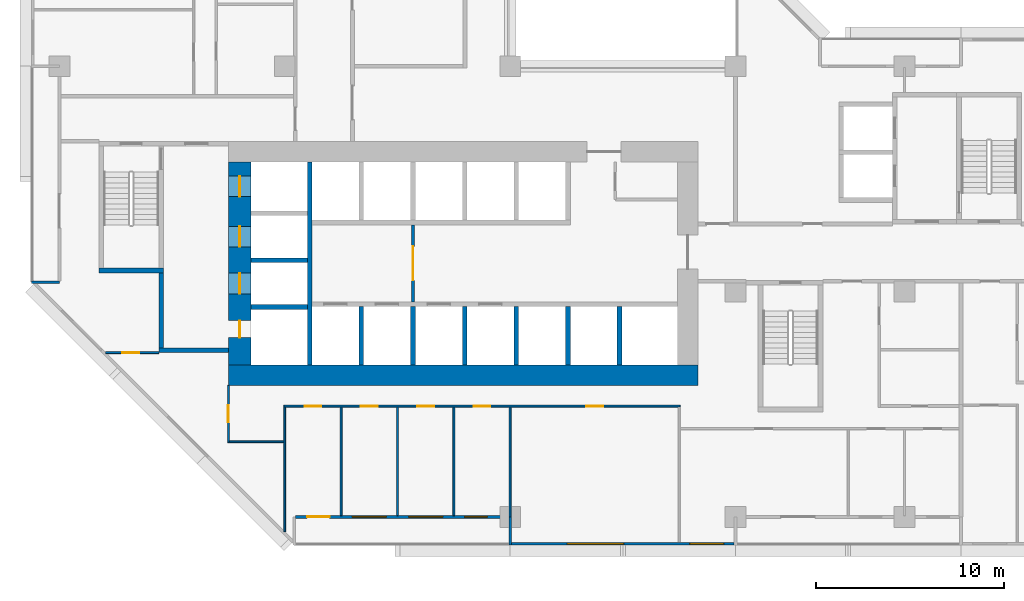
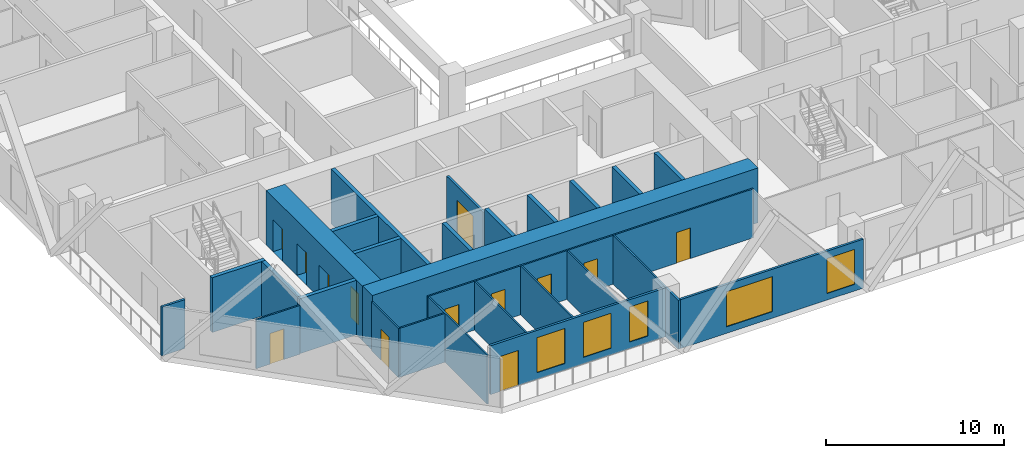
# One storey, part 4 of 15: 28 walls, 13 doors, 5 windows, 18 openings.
"""IFC4 building model written with IfcOpenShell, lengths in metres."""

from ifc_helpers import new_model, si_unit, direction, frame, frame_2d, origin, place, context, subcontext, project, spatial, rectangle, extrude, material, layer, layer_set, type_object, element, fill, save


model = new_model("IFC4")

# Units and contexts
model_context = context("Model", 3, precision=1e-05, world=origin(), true_north=direction((0.0, 1.0)))
body_context = subcontext(model_context, "Body", "Model", "MODEL_VIEW")
ifc_project = project(units=[si_unit("LENGTHUNIT", "METRE"), si_unit("AREAUNIT", "SQUARE_METRE"), si_unit("VOLUMEUNIT", "CUBIC_METRE"), si_unit("PLANEANGLEUNIT", "RADIAN"), si_unit("MASSUNIT", "GRAM", prefix="KILO")], contexts=[model_context])

# Site, building, storey
site_placement = place(None, origin())
site = spatial("IfcSite", under=ifc_project, at=site_placement, CompositionType="ELEMENT")
building_placement = place(site_placement, origin())
building = spatial("IfcBuilding", under=site, at=building_placement, Name="Chenar Terraces", CompositionType="ELEMENT")
storey_placement = place(building_placement, frame((0.0, 0.0, 56.39990234375)))
storey = spatial("IfcBuildingStorey", under=building, at=storey_placement, Name="L11", CompositionType="ELEMENT", Elevation=56.39990234375)

# Wall, opening, door
ifc_material_1 = material(Name="Gypsum board on steel studs", Category="steel")
ifc_layer_1 = layer(ifc_material_1, 0.14990234375)
ifc_layer_set_1 = layer_set([ifc_layer_1], Name="Gypsum board on steel studs")
wall_type_1 = type_object("IfcWallType", Name="Core partition 150 gypsum board", PredefinedType="PARTITIONING", material=ifc_layer_set_1)
wall_1_placement = place(storey_placement, frame((18.824951171875, 11.449951171875, 0.0), z_axis=(0.0, 0.0, 1.0), x_axis=(0.0, 1.0, 0.0)))
wall_1 = element("IfcWall", 1, at=wall_1_placement, inside=storey, type_object=wall_type_1, Name="Core partition CP1 lift lobby smoke stop", PredefinedType="PARTITIONING", context=body_context, shape_type="SweptSolid", body=[
    extrude(rectangle(XDim=4.10009765625, YDim=0.14990234375, at=frame_2d((2.050048828125, 0.0))), origin(), (0.0, 0.0, 1.0), 3.35009765625),
])
opening_1_placement = place(wall_1_placement, frame((1.14990234375, 0.0, 0.0)))
opening_1 = element("IfcOpeningElement", 2, at=opening_1_placement, cuts=wall_1, Name="Opening DL11-C12", PredefinedType="OPENING", context=body_context, shape_type="SweptSolid", body=[
    extrude(rectangle(XDim=1.800048828125, YDim=2.39990234375, at=frame_2d((0.89990234375, 1.199951171875))), frame((0.0, 0.0849609375, 0.0), z_axis=(0.0, -1.0, 0.0), x_axis=(1.0, 0.0, 0.0)), (0.0, 0.0, 1.0), 0.169921875),
])
ifc_material_2 = material(Name="Steel-framed fire-resisting door leaf", Category="steel")
door_type_1 = type_object("IfcDoorType", Name="Core entrance double fire door FD60 1800 x 2400", OperationType="DOUBLE_DOOR_SINGLE_SWING", PredefinedType="DOOR", material=ifc_material_2)
door_1_placement = place(opening_1_placement, origin())
door_1 = element("IfcDoor", 3, at=door_1_placement, inside=storey, type_object=door_type_1, Name="Core door DL11-C12", OperationType="DOUBLE_DOOR_SINGLE_SWING", OverallHeight=2.39990234375, OverallWidth=1.800048828125, PredefinedType="DOOR", context=body_context, shape_type="SweptSolid", body=[
    extrude(rectangle(XDim=1.800048828125, YDim=2.39990234375, at=frame_2d((0.89990234375, 1.199951171875))), frame((0.0, 0.02490234375, 0.0), z_axis=(0.0, -1.0, 0.0), x_axis=(1.0, 0.0, 0.0)), (0.0, 0.0, 1.0), 0.050048828125),
])
fill(opening_1, door_1)

# Wall
ifc_material_3 = material(Name="Concrete C70/85", Category="concrete")
ifc_layer_2 = layer(ifc_material_3, 1.10009765625)
ifc_layer_set_2 = layer_set([ifc_layer_2], Name="Concrete C70/85")
wall_type_2 = type_object("IfcWallType", Name="Core wall 1100 Concrete C70/85", PredefinedType="SHEAR", material=ifc_layer_set_2)
wall_2_placement = place(storey_placement, frame((9.0, 7.550048828125, 0.0), z_axis=(0.0, 0.0, 1.0), x_axis=(1.0, 0.0, 0.0)))
element("IfcWall", 4, at=wall_2_placement, inside=storey, type_object=wall_type_2, Name="Core wall S L11", PredefinedType="SHEAR", context=body_context, shape_type="SweptSolid", body=[
    extrude(rectangle(XDim=25.0, YDim=1.10009765625, at=frame_2d((12.5, 0.0))), origin(), (0.0, 0.0, 1.0), 3.75),
])

# Wall, openings, doors
ifc_material_4 = material(Name="Concrete C70/85", Category="concrete")
ifc_layer_3 = layer(ifc_material_4, 1.199951171875)
ifc_layer_set_3 = layer_set([ifc_layer_3], Name="Concrete C70/85")
wall_type_3 = type_object("IfcWallType", Name="Core wall 1200 Concrete C70/85", PredefinedType="SHEAR", material=ifc_layer_set_3)
wall_3_placement = place(storey_placement, frame((9.60009765625, 8.10009765625, 0.0), z_axis=(0.0, 0.0, 1.0), x_axis=(0.0, 1.0, 0.0)))
wall_3 = element("IfcWall", 5, at=wall_3_placement, inside=storey, type_object=wall_type_3, Name="Core wall W L11", PredefinedType="SHEAR", context=body_context, shape_type="SweptSolid", body=[
    extrude(rectangle(XDim=10.7998046875, YDim=1.199951171875, at=frame_2d((5.39990234375, 0.0))), origin(), (0.0, 0.0, 1.0), 3.75),
])
opening_2_placement = place(wall_3_placement, frame((3.77490234375, 0.0, 0.0)))
opening_2 = element("IfcOpeningElement", 6, at=opening_2_placement, cuts=wall_3, Name="Opening DL11-LD5", PredefinedType="OPENING", context=body_context, shape_type="SweptSolid", body=[
    extrude(rectangle(XDim=1.10009765625, YDim=2.199951171875, at=frame_2d((0.550048828125, 1.10009765625))), frame((0.0, 0.60986328125, 0.0), z_axis=(0.0, -1.0, 0.0), x_axis=(1.0, 0.0, 0.0)), (0.0, 0.0, 1.0), 1.219970703125),
])
opening_3_placement = place(wall_3_placement, frame((6.27490234375, 0.0, 0.0)))
opening_3 = element("IfcOpeningElement", 7, at=opening_3_placement, cuts=wall_3, Name="Opening DL11-LD6", PredefinedType="OPENING", context=body_context, shape_type="SweptSolid", body=[
    extrude(rectangle(XDim=1.10009765625, YDim=2.199951171875, at=frame_2d((0.550048828125, 1.10009765625))), frame((0.0, 0.60986328125, 0.0), z_axis=(0.0, -1.0, 0.0), x_axis=(1.0, 0.0, 0.0)), (0.0, 0.0, 1.0), 1.219970703125),
])
opening_4_placement = place(wall_3_placement, frame((8.949951171875, 0.0, 0.0)))
opening_4 = element("IfcOpeningElement", 8, at=opening_4_placement, cuts=wall_3, Name="Opening DL11-LD7", PredefinedType="OPENING", context=body_context, shape_type="SweptSolid", body=[
    extrude(rectangle(XDim=1.10009765625, YDim=2.199951171875, at=frame_2d((0.550048828125, 1.10009765625))), frame((0.0, 0.60986328125, 0.0), z_axis=(0.0, -1.0, 0.0), x_axis=(1.0, 0.0, 0.0)), (0.0, 0.0, 1.0), 1.219970703125),
])
opening_5_placement = place(wall_3_placement, frame((1.449951171875, 0.0, 0.0)))
opening_5 = element("IfcOpeningElement", 9, at=opening_5_placement, cuts=wall_3, Name="Opening DL11-C4", PredefinedType="OPENING", context=body_context, shape_type="SweptSolid", body=[
    extrude(rectangle(XDim=0.89990234375, YDim=2.10009765625, at=frame_2d((0.449951171875, 1.050048828125))), frame((0.0, 0.60986328125, 0.0), z_axis=(0.0, -1.0, 0.0), x_axis=(1.0, 0.0, 0.0)), (0.0, 0.0, 1.0), 1.219970703125),
])
ifc_material_5 = material(Name="Stainless steel", Category="steel")
door_type_2 = type_object("IfcDoorType", Name="Lift landing door 1100 x 2200 sliding", OperationType="DOUBLE_DOOR_SLIDING", PredefinedType="DOOR", material=ifc_material_5)
door_2_placement = place(opening_2_placement, origin())
door_2 = element("IfcDoor", 10, at=door_2_placement, inside=storey, type_object=door_type_2, Name="Landing door S1", OperationType="DOUBLE_DOOR_SLIDING", OverallHeight=2.199951171875, OverallWidth=1.10009765625, PredefinedType="DOOR", context=body_context, shape_type="SweptSolid", body=[
    extrude(rectangle(XDim=1.10009765625, YDim=2.199951171875, at=frame_2d((0.550048828125, 1.10009765625))), frame((0.0, 0.02490234375, 0.0), z_axis=(0.0, -1.0, 0.0), x_axis=(1.0, 0.0, 0.0)), (0.0, 0.0, 1.0), 0.050048828125),
])
fill(opening_2, door_2)
door_3_placement = place(opening_3_placement, origin())
door_3 = element("IfcDoor", 11, at=door_3_placement, inside=storey, type_object=door_type_2, Name="Landing door F1", OperationType="DOUBLE_DOOR_SLIDING", OverallHeight=2.199951171875, OverallWidth=1.10009765625, PredefinedType="DOOR", context=body_context, shape_type="SweptSolid", body=[
    extrude(rectangle(XDim=1.10009765625, YDim=2.199951171875, at=frame_2d((0.550048828125, 1.10009765625))), frame((0.0, 0.02490234375, 0.0), z_axis=(0.0, -1.0, 0.0), x_axis=(1.0, 0.0, 0.0)), (0.0, 0.0, 1.0), 0.050048828125),
])
fill(opening_3, door_3)
door_4_placement = place(opening_4_placement, origin())
door_4 = element("IfcDoor", 12, at=door_4_placement, inside=storey, type_object=door_type_2, Name="Landing door F2", OperationType="DOUBLE_DOOR_SLIDING", OverallHeight=2.199951171875, OverallWidth=1.10009765625, PredefinedType="DOOR", context=body_context, shape_type="SweptSolid", body=[
    extrude(rectangle(XDim=1.10009765625, YDim=2.199951171875, at=frame_2d((0.550048828125, 1.10009765625))), frame((0.0, 0.02490234375, 0.0), z_axis=(0.0, -1.0, 0.0), x_axis=(1.0, 0.0, 0.0)), (0.0, 0.0, 1.0), 0.050048828125),
])
fill(opening_4, door_4)
ifc_material_6 = material(Name="Steel-framed fire-resisting door leaf", Category="steel")
door_type_3 = type_object("IfcDoorType", Name="Riser fire door FD60 900 x 2100", OperationType="SINGLE_SWING_LEFT", PredefinedType="DOOR", material=ifc_material_6)
door_5_placement = place(opening_5_placement, frame((0.89990234375, 0.0, 0.0), z_axis=(0.0, 0.0, 1.0), x_axis=(-1.0, 0.0, 0.0)))
door_5 = element("IfcDoor", 13, at=door_5_placement, inside=storey, type_object=door_type_3, Name="Riser door DL11-C4", OperationType="SINGLE_SWING_RIGHT", OverallHeight=2.10009765625, OverallWidth=0.89990234375, PredefinedType="DOOR", context=body_context, shape_type="SweptSolid", body=[
    extrude(rectangle(XDim=0.89990234375, YDim=2.10009765625, at=frame_2d((0.449951171875, 1.050048828125))), frame((0.0, 0.02490234375, 0.0), z_axis=(0.0, -1.0, 0.0), x_axis=(1.0, 0.0, 0.0)), (0.0, 0.0, 1.0), 0.050048828125),
])
fill(opening_5, door_5)

# Walls
ifc_material_7 = material(Name="Concrete C70/85", Category="concrete")
ifc_layer_4 = layer(ifc_material_7, 0.25)
ifc_layer_set_4 = layer_set([ifc_layer_4], Name="Concrete C70/85")
wall_type_4 = type_object("IfcWallType", Name="Core wall 250 Concrete C70/85", PredefinedType="SHEAR", material=ifc_layer_set_4)
wall_4_placement = place(storey_placement, frame((13.324951171875, 8.10009765625, 0.0), z_axis=(0.0, 0.0, 1.0), x_axis=(0.0, 1.0, 0.0)))
element("IfcWall", 14, at=wall_4_placement, inside=storey, type_object=wall_type_4, Name="Core wall WI L11", PredefinedType="SHEAR", context=body_context, shape_type="SweptSolid", body=[
    extrude(rectangle(XDim=10.7998046875, YDim=0.25, at=frame_2d((5.39990234375, 0.0))), origin(), (0.0, 0.0, 1.0), 3.75),
])
for number, where, z_axis, x_axis, name in (
    (15, (10.199951171875, 11.175048828125, 0.0), (0.0, 0.0, 1.0), (1.0, 0.0, 0.0), "Core wall HW0 L11"),
    (16, (10.199951171875, 13.675048828125, 0.0), (0.0, 0.0, 1.0), (1.0, 0.0, 0.0), "Core wall HW1 L11"),
):
    element("IfcWall", number, at=place(storey_placement, frame(where, z_axis=z_axis, x_axis=x_axis)), inside=storey, type_object=wall_type_4, Name=name, PredefinedType="SHEAR", context=body_context, shape_type="SweptSolid", body=[
        extrude(rectangle(XDim=3.0, YDim=0.25, at=frame_2d((1.5, 0.0))), origin(), (0.0, 0.0, 1.0), 3.75),
    ])
for number, where, z_axis, x_axis, name in (
    (17, (16.074951171875, 8.10009765625, 0.0), (0.0, 0.0, 1.0), (0.0, 1.0, 0.0), "Core wall SS0 L11"),
    (18, (18.824951171875, 8.10009765625, 0.0), (0.0, 0.0, 1.0), (0.0, 1.0, 0.0), "Core wall SS1 L11"),
    (19, (21.574951171875, 8.10009765625, 0.0), (0.0, 0.0, 1.0), (0.0, 1.0, 0.0), "Core wall SS2 L11"),
    (20, (24.324951171875, 8.10009765625, 0.0), (0.0, 0.0, 1.0), (0.0, 1.0, 0.0), "Core wall SS3 L11"),
    (21, (27.074951171875, 8.10009765625, 0.0), (0.0, 0.0, 1.0), (0.0, 1.0, 0.0), "Core wall SS4 L11"),
    (22, (29.824951171875, 8.10009765625, 0.0), (0.0, 0.0, 1.0), (0.0, 1.0, 0.0), "Core wall SS5 L11"),
):
    element("IfcWall", number, at=place(storey_placement, frame(where, z_axis=z_axis, x_axis=x_axis)), inside=storey, type_object=wall_type_4, Name=name, PredefinedType="SHEAR", context=body_context, shape_type="SweptSolid", body=[
        extrude(rectangle(XDim=3.099853515625, YDim=0.25, at=frame_2d((1.5498046875, 0.0))), origin(), (0.0, 0.0, 1.0), 3.75),
    ])
wall_5_placement = place(storey_placement, frame((2.10009765625, 13.125, 0.0), z_axis=(0.0, 0.0, 1.0), x_axis=(1.0, 0.0, 0.0)))
element("IfcWall", 23, at=wall_5_placement, inside=storey, type_object=wall_type_4, Name="Core wall ST1_S L11", PredefinedType="SHEAR", context=body_context, shape_type="SweptSolid", body=[
    extrude(rectangle(XDim=3.449951171875, YDim=0.25, at=frame_2d((1.72509765625, 0.0))), origin(), (0.0, 0.0, 1.0), 3.75),
])
wall_6_placement = place(storey_placement, frame((5.300048828125, 8.875, 0.0), z_axis=(0.0, 0.0, 1.0), x_axis=(1.0, 0.0, 0.0)))
element("IfcWall", 24, at=wall_6_placement, inside=storey, type_object=wall_type_4, Name="Core wall FFL_S L11", PredefinedType="SHEAR", context=body_context, shape_type="SweptSolid", body=[
    extrude(rectangle(XDim=3.699951171875, YDim=0.25, at=frame_2d((1.85009765625, 0.0))), origin(), (0.0, 0.0, 1.0), 3.75),
])
wall_7_placement = place(storey_placement, frame((5.425048828125, 9.0, 0.0), z_axis=(0.0, 0.0, 1.0), x_axis=(0.0, 1.0, 0.0)))
element("IfcWall", 25, at=wall_7_placement, inside=storey, type_object=wall_type_4, Name="Core wall FFL_W L11", PredefinedType="SHEAR", context=body_context, shape_type="SweptSolid", body=[
    extrude(rectangle(XDim=4.0, YDim=0.25, at=frame_2d((2.0, 0.0))), origin(), (0.0, 0.0, 1.0), 3.75),
])

# Wall, openings, windows
ifc_material_8 = material(Name="Aluminium framed glazing", Category="aluminium")
ifc_layer_5 = layer(ifc_material_8, 0.14990234375)
ifc_layer_set_5 = layer_set([ifc_layer_5], Name="Aluminium framed glazing")
wall_type_5 = type_object("IfcWallType", Name="Glazed flush facade wall 150", PredefinedType="SOLIDWALL", material=ifc_layer_set_5)
wall_8_placement = place(storey_placement, frame((24.074951171875, -1.425048828125, 0.0), z_axis=(0.0, 0.0, 1.0), x_axis=(1.0, 0.0, 0.0)))
wall_8 = element("IfcWall", 26, at=wall_8_placement, inside=storey, type_object=wall_type_5, Name="Glazed flush facade wall", PredefinedType="SOLIDWALL", context=body_context, shape_type="SweptSolid", body=[
    extrude(rectangle(XDim=11.85009765625, YDim=0.14990234375, at=frame_2d((5.925048828125, 0.0))), origin(), (0.0, 0.0, 1.0), 3.35009765625),
])
opening_6_placement = place(wall_8_placement, frame((2.96240234375, 0.0, 0.449951171875)))
opening_6 = element("IfcOpeningElement", 27, at=opening_6_placement, cuts=wall_8, Name="Opening W300x240", PredefinedType="OPENING", context=body_context, shape_type="SweptSolid", body=[
    extrude(rectangle(XDim=3.0, YDim=2.39990234375, at=frame_2d((1.5, 1.199951171875))), frame((0.0, 0.0849609375, 0.0), z_axis=(0.0, -1.0, 0.0), x_axis=(1.0, 0.0, 0.0)), (0.0, 0.0, 1.0), 0.169921875),
])
opening_7_placement = place(wall_8_placement, frame((9.487548828125, 0.0, 0.449951171875)))
opening_7 = element("IfcOpeningElement", 28, at=opening_7_placement, cuts=wall_8, Name="Opening W180x240", PredefinedType="OPENING", context=body_context, shape_type="SweptSolid", body=[
    extrude(rectangle(XDim=1.800048828125, YDim=2.39990234375, at=frame_2d((0.89990234375, 1.199951171875))), frame((0.0, 0.0849609375, 0.0), z_axis=(0.0, -1.0, 0.0), x_axis=(1.0, 0.0, 0.0)), (0.0, 0.0, 1.0), 0.169921875),
])
ifc_material_9 = material(Name="Low emissivity double glazing, aluminium frame", Category="aluminium")
window_type_1 = type_object("IfcWindowType", Name="Fixed light 1800 x 2400", PartitioningType="SINGLE_PANEL", PredefinedType="WINDOW", material=ifc_material_9)
window_1_placement = place(opening_7_placement, origin())
window_1 = element("IfcWindow", 29, at=window_1_placement, inside=storey, type_object=window_type_1, Name="Window", OverallHeight=2.39990234375, OverallWidth=1.800048828125, PartitioningType="SINGLE_PANEL", PredefinedType="WINDOW", context=body_context, shape_type="SweptSolid", body=[
    extrude(rectangle(XDim=1.800048828125, YDim=2.39990234375, at=frame_2d((0.89990234375, 1.199951171875))), frame((0.0, 0.030029296875, 0.0), z_axis=(0.0, -1.0, 0.0), x_axis=(1.0, 0.0, 0.0)), (0.0, 0.0, 1.0), 0.06005859375),
])
fill(opening_7, window_1)
ifc_material_10 = material(Name="Low emissivity double glazing, aluminium frame", Category="aluminium")
window_type_2 = type_object("IfcWindowType", Name="Fixed light 3000 x 2400", PartitioningType="SINGLE_PANEL", PredefinedType="WINDOW", material=ifc_material_10)
window_2_placement = place(opening_6_placement, origin())
window_2 = element("IfcWindow", 30, at=window_2_placement, inside=storey, type_object=window_type_2, Name="Window", OverallHeight=2.39990234375, OverallWidth=3.0, PartitioningType="SINGLE_PANEL", PredefinedType="WINDOW", context=body_context, shape_type="SweptSolid", body=[
    extrude(rectangle(XDim=3.0, YDim=2.39990234375, at=frame_2d((1.5, 1.199951171875))), frame((0.0, 0.030029296875, 0.0), z_axis=(0.0, -1.0, 0.0), x_axis=(1.0, 0.0, 0.0)), (0.0, 0.0, 1.0), 0.06005859375),
])
fill(opening_6, window_2)

# Wall, openings, windows, door
ifc_material_11 = material(Name="Aluminium framed glazing", Category="aluminium")
ifc_layer_6 = layer(ifc_material_11, 0.14990234375)
ifc_layer_set_6 = layer_set([ifc_layer_6], Name="Aluminium framed glazing")
wall_type_6 = type_object("IfcWallType", Name="Glazed loggia back wall 150", PredefinedType="SOLIDWALL", material=ifc_layer_set_6)
wall_9_placement = place(storey_placement, frame((12.574951171875, 0.0, 0.0), z_axis=(0.0, 0.0, 1.0), x_axis=(1.0, 0.0, 0.0)))
wall_9 = element("IfcWall", 31, at=wall_9_placement, inside=storey, type_object=wall_type_6, Name="Glazed loggia back wall", PredefinedType="SOLIDWALL", context=body_context, shape_type="SweptSolid", body=[
    extrude(rectangle(XDim=11.35009765625, YDim=0.14990234375, at=frame_2d((5.675048828125, 0.0))), origin(), (0.0, 0.0, 1.0), 3.35009765625),
])
opening_8_placement = place(wall_9_placement, frame((0.612548828125, 0.0, 0.0)))
opening_8 = element("IfcOpeningElement", 32, at=opening_8_placement, cuts=wall_9, Name="Opening DL11-G5", PredefinedType="OPENING", context=body_context, shape_type="SweptSolid", body=[
    extrude(rectangle(XDim=1.199951171875, YDim=2.39990234375, at=frame_2d((0.60009765625, 1.199951171875))), frame((0.0, 0.0849609375, 0.0), z_axis=(0.0, -1.0, 0.0), x_axis=(1.0, 0.0, 0.0)), (0.0, 0.0, 1.0), 0.169921875),
])
opening_9_placement = place(wall_9_placement, frame((3.02490234375, 0.0, 0.449951171875)))
opening_9 = element("IfcOpeningElement", 33, at=opening_9_placement, cuts=wall_9, Name="Opening W180x240", PredefinedType="OPENING", context=body_context, shape_type="SweptSolid", body=[
    extrude(rectangle(XDim=1.800048828125, YDim=2.39990234375, at=frame_2d((0.89990234375, 1.199951171875))), frame((0.0, 0.0849609375, 0.0), z_axis=(0.0, -1.0, 0.0), x_axis=(1.0, 0.0, 0.0)), (0.0, 0.0, 1.0), 0.169921875),
])
opening_10_placement = place(wall_9_placement, frame((6.02490234375, 0.0, 0.449951171875)))
opening_10 = element("IfcOpeningElement", 34, at=opening_10_placement, cuts=wall_9, Name="Opening W180x240", PredefinedType="OPENING", context=body_context, shape_type="SweptSolid", body=[
    extrude(rectangle(XDim=1.800048828125, YDim=2.39990234375, at=frame_2d((0.89990234375, 1.199951171875))), frame((0.0, 0.0849609375, 0.0), z_axis=(0.0, -1.0, 0.0), x_axis=(1.0, 0.0, 0.0)), (0.0, 0.0, 1.0), 0.169921875),
])
opening_11_placement = place(wall_9_placement, frame((9.0, 0.0, 0.449951171875)))
opening_11 = element("IfcOpeningElement", 35, at=opening_11_placement, cuts=wall_9, Name="Opening W120x240", PredefinedType="OPENING", context=body_context, shape_type="SweptSolid", body=[
    extrude(rectangle(XDim=1.199951171875, YDim=2.39990234375, at=frame_2d((0.60009765625, 1.199951171875))), frame((0.0, 0.0849609375, 0.0), z_axis=(0.0, -1.0, 0.0), x_axis=(1.0, 0.0, 0.0)), (0.0, 0.0, 1.0), 0.169921875),
])
ifc_material_12 = material(Name="Low emissivity double glazing, aluminium frame", Category="aluminium")
window_type_3 = type_object("IfcWindowType", Name="Fixed light 1200 x 2400", PartitioningType="SINGLE_PANEL", PredefinedType="WINDOW", material=ifc_material_12)
window_3_placement = place(opening_11_placement, origin())
window_3 = element("IfcWindow", 36, at=window_3_placement, inside=storey, type_object=window_type_3, Name="Window", OverallHeight=2.39990234375, OverallWidth=1.199951171875, PartitioningType="SINGLE_PANEL", PredefinedType="WINDOW", context=body_context, shape_type="SweptSolid", body=[
    extrude(rectangle(XDim=1.199951171875, YDim=2.39990234375, at=frame_2d((0.60009765625, 1.199951171875))), frame((0.0, 0.030029296875, 0.0), z_axis=(0.0, -1.0, 0.0), x_axis=(1.0, 0.0, 0.0)), (0.0, 0.0, 1.0), 0.06005859375),
])
fill(opening_11, window_3)
window_4_placement = place(opening_9_placement, origin())
window_4 = element("IfcWindow", 37, at=window_4_placement, inside=storey, type_object=window_type_1, Name="Window", OverallHeight=2.39990234375, OverallWidth=1.800048828125, PartitioningType="SINGLE_PANEL", PredefinedType="WINDOW", context=body_context, shape_type="SweptSolid", body=[
    extrude(rectangle(XDim=1.800048828125, YDim=2.39990234375, at=frame_2d((0.89990234375, 1.199951171875))), frame((0.0, 0.030029296875, 0.0), z_axis=(0.0, -1.0, 0.0), x_axis=(1.0, 0.0, 0.0)), (0.0, 0.0, 1.0), 0.06005859375),
])
fill(opening_9, window_4)
window_5_placement = place(opening_10_placement, origin())
window_5 = element("IfcWindow", 38, at=window_5_placement, inside=storey, type_object=window_type_1, Name="Window", OverallHeight=2.39990234375, OverallWidth=1.800048828125, PartitioningType="SINGLE_PANEL", PredefinedType="WINDOW", context=body_context, shape_type="SweptSolid", body=[
    extrude(rectangle(XDim=1.800048828125, YDim=2.39990234375, at=frame_2d((0.89990234375, 1.199951171875))), frame((0.0, 0.030029296875, 0.0), z_axis=(0.0, -1.0, 0.0), x_axis=(1.0, 0.0, 0.0)), (0.0, 0.0, 1.0), 0.06005859375),
])
fill(opening_10, window_5)
ifc_material_13 = material(Name="Low emissivity double glazing, aluminium frame", Category="aluminium")
door_type_4 = type_object("IfcDoorType", Name="Loggia glazed double door 1200 x 2400", OperationType="DOUBLE_DOOR_SINGLE_SWING", PredefinedType="DOOR", material=ifc_material_13)
door_6_placement = place(opening_8_placement, frame((1.199951171875, 0.0, 0.0), z_axis=(0.0, 0.0, 1.0), x_axis=(-1.0, 0.0, 0.0)))
door_6 = element("IfcDoor", 39, at=door_6_placement, inside=storey, type_object=door_type_4, Name="Loggia glazed door", OperationType="DOUBLE_DOOR_SINGLE_SWING", OverallHeight=2.39990234375, OverallWidth=1.199951171875, PredefinedType="DOOR", context=body_context, shape_type="SweptSolid", body=[
    extrude(rectangle(XDim=1.199951171875, YDim=2.39990234375, at=frame_2d((0.60009765625, 1.199951171875))), frame((0.0, 0.02490234375, 0.0), z_axis=(0.0, -1.0, 0.0), x_axis=(1.0, 0.0, 0.0)), (0.0, 0.0, 1.0), 0.050048828125),
])
fill(opening_8, door_6)

# Wall, opening, door
ifc_material_14 = material(Name="Gypsum board on steel studs", Category="steel")
ifc_layer_7 = layer(ifc_material_14, 0.10009765625)
ifc_layer_set_7 = layer_set([ifc_layer_7], Name="Gypsum board on steel studs")
wall_type_7 = type_object("IfcWallType", Name="Gypsum partition 100", PredefinedType="PARTITIONING", material=ifc_layer_set_7)
wall_10_placement = place(storey_placement, frame((2.4609375, 8.75, 0.0), z_axis=(0.0, 0.0, 1.0), x_axis=(1.0, 0.0, 0.0)))
wall_10 = element("IfcWall", 40, at=wall_10_placement, inside=storey, type_object=wall_type_7, Name="Partition L11-014", PredefinedType="PARTITIONING", context=body_context, shape_type="SweptSolid", body=[
    extrude(rectangle(XDim=2.839111328125, YDim=0.10009765625, at=frame_2d((1.41943359375, 0.0))), origin(), (0.0, 0.0, 1.0), 3.35009765625),
])
opening_12_placement = place(wall_10_placement, frame((0.888916015625, 0.0, 0.0)))
opening_12 = element("IfcOpeningElement", 41, at=opening_12_placement, cuts=wall_10, Name="Opening DL11-63", PredefinedType="OPENING", context=body_context, shape_type="SweptSolid", body=[
    extrude(rectangle(XDim=0.89990234375, YDim=2.10009765625, at=frame_2d((0.449951171875, 1.050048828125))), frame((0.0, 0.06005859375, 0.0), z_axis=(0.0, -1.0, 0.0), x_axis=(1.0, 0.0, 0.0)), (0.0, 0.0, 1.0), 0.1201171875),
])
ifc_material_15 = material(Name="Veneered timber door leaf", Category="wood")
door_type_5 = type_object("IfcDoorType", Name="Door 900 x 2100", OperationType="SINGLE_SWING_LEFT", PredefinedType="DOOR", material=ifc_material_15)
door_7_placement = place(opening_12_placement, frame((0.89990234375, 0.0, 0.0), z_axis=(0.0, 0.0, 1.0), x_axis=(-1.0, 0.0, 0.0)))
door_7 = element("IfcDoor", 42, at=door_7_placement, inside=storey, type_object=door_type_5, Name="Door DL11-63", OperationType="SINGLE_SWING_RIGHT", OverallHeight=2.10009765625, OverallWidth=0.89990234375, PredefinedType="DOOR", context=body_context, shape_type="SweptSolid", body=[
    extrude(rectangle(XDim=0.89990234375, YDim=2.10009765625, at=frame_2d((0.449951171875, 1.050048828125))), frame((0.0, 0.02490234375, 0.0), z_axis=(0.0, -1.0, 0.0), x_axis=(1.0, 0.0, 0.0)), (0.0, 0.0, 1.0), 0.050048828125),
])
fill(opening_12, door_7)

wall_11_placement = place(storey_placement, frame((9.0, 3.949951171875, 0.0), z_axis=(0.0, 0.0, 1.0), x_axis=(0.0, 1.0, 0.0)))
wall_11 = element("IfcWall", 43, at=wall_11_placement, inside=storey, type_object=wall_type_7, Name="Partition L11-031", PredefinedType="PARTITIONING", context=body_context, shape_type="SweptSolid", body=[
    extrude(rectangle(XDim=3.050048828125, YDim=0.10009765625, at=frame_2d((1.52490234375, 0.0))), origin(), (0.0, 0.0, 1.0), 3.35009765625),
])
opening_13_placement = place(wall_11_placement, frame((1.10009765625, 0.0, 0.0)))
opening_13 = element("IfcOpeningElement", 44, at=opening_13_placement, cuts=wall_11, Name="Opening DL11-62", PredefinedType="OPENING", context=body_context, shape_type="SweptSolid", body=[
    extrude(rectangle(XDim=0.89990234375, YDim=2.10009765625, at=frame_2d((0.449951171875, 1.050048828125))), frame((0.0, 0.06005859375, 0.0), z_axis=(0.0, -1.0, 0.0), x_axis=(1.0, 0.0, 0.0)), (0.0, 0.0, 1.0), 0.1201171875),
])
door_8_placement = place(opening_13_placement, origin())
door_8 = element("IfcDoor", 45, at=door_8_placement, inside=storey, type_object=door_type_5, Name="Door DL11-62", OperationType="SINGLE_SWING_LEFT", OverallHeight=2.10009765625, OverallWidth=0.89990234375, PredefinedType="DOOR", context=body_context, shape_type="SweptSolid", body=[
    extrude(rectangle(XDim=0.89990234375, YDim=2.10009765625, at=frame_2d((0.449951171875, 1.050048828125))), frame((0.0, 0.02490234375, 0.0), z_axis=(0.0, -1.0, 0.0), x_axis=(1.0, 0.0, 0.0)), (0.0, 0.0, 1.0), 0.050048828125),
])
fill(opening_13, door_8)

# Wall
wall_12_placement = place(storey_placement, frame((9.050048828125, 4.0, 0.0), z_axis=(0.0, 0.0, 1.0), x_axis=(1.0, 0.0, 0.0)))
element("IfcWall", 46, at=wall_12_placement, inside=storey, type_object=wall_type_7, Name="Partition L11-032", PredefinedType="PARTITIONING", context=body_context, shape_type="SweptSolid", body=[
    extrude(rectangle(XDim=2.89990234375, YDim=0.10009765625, at=frame_2d((1.449951171875, 0.0))), origin(), (0.0, 0.0, 1.0), 3.35009765625),
])

# Wall, openings, doors
wall_13_placement = place(storey_placement, frame((11.949951171875, 5.89990234375, 0.0), z_axis=(0.0, 0.0, 1.0), x_axis=(1.0, 0.0, 0.0)))
wall_13 = element("IfcWall", 47, at=wall_13_placement, inside=storey, type_object=wall_type_7, Name="Partition L11-033", PredefinedType="PARTITIONING", context=body_context, shape_type="SweptSolid", body=[
    extrude(rectangle(XDim=21.10009765625, YDim=0.10009765625, at=frame_2d((10.550048828125, 0.0))), origin(), (0.0, 0.0, 1.0), 3.35009765625),
])
opening_14_placement = place(wall_13_placement, frame((1.10009765625, 0.0, 0.0)))
opening_14 = element("IfcOpeningElement", 48, at=opening_14_placement, cuts=wall_13, Name="Opening DL11-56", PredefinedType="OPENING", context=body_context, shape_type="SweptSolid", body=[
    extrude(rectangle(XDim=0.89990234375, YDim=2.10009765625, at=frame_2d((0.449951171875, 1.050048828125))), frame((0.0, 0.06005859375, 0.0), z_axis=(0.0, -1.0, 0.0), x_axis=(1.0, 0.0, 0.0)), (0.0, 0.0, 1.0), 0.1201171875),
])
opening_15_placement = place(wall_13_placement, frame((4.10009765625, 0.0, 0.0)))
opening_15 = element("IfcOpeningElement", 49, at=opening_15_placement, cuts=wall_13, Name="Opening DL11-57", PredefinedType="OPENING", context=body_context, shape_type="SweptSolid", body=[
    extrude(rectangle(XDim=0.89990234375, YDim=2.10009765625, at=frame_2d((0.449951171875, 1.050048828125))), frame((0.0, 0.06005859375, 0.0), z_axis=(0.0, -1.0, 0.0), x_axis=(1.0, 0.0, 0.0)), (0.0, 0.0, 1.0), 0.1201171875),
])
opening_16_placement = place(wall_13_placement, frame((7.10009765625, 0.0, 0.0)))
opening_16 = element("IfcOpeningElement", 50, at=opening_16_placement, cuts=wall_13, Name="Opening DL11-58", PredefinedType="OPENING", context=body_context, shape_type="SweptSolid", body=[
    extrude(rectangle(XDim=0.89990234375, YDim=2.10009765625, at=frame_2d((0.449951171875, 1.050048828125))), frame((0.0, 0.06005859375, 0.0), z_axis=(0.0, -1.0, 0.0), x_axis=(1.0, 0.0, 0.0)), (0.0, 0.0, 1.0), 0.1201171875),
])
opening_17_placement = place(wall_13_placement, frame((10.10009765625, 0.0, 0.0)))
opening_17 = element("IfcOpeningElement", 51, at=opening_17_placement, cuts=wall_13, Name="Opening DL11-59", PredefinedType="OPENING", context=body_context, shape_type="SweptSolid", body=[
    extrude(rectangle(XDim=0.89990234375, YDim=2.10009765625, at=frame_2d((0.449951171875, 1.050048828125))), frame((0.0, 0.06005859375, 0.0), z_axis=(0.0, -1.0, 0.0), x_axis=(1.0, 0.0, 0.0)), (0.0, 0.0, 1.0), 0.1201171875),
])
opening_18_placement = place(wall_13_placement, frame((16.10009765625, 0.0, 0.0)))
opening_18 = element("IfcOpeningElement", 52, at=opening_18_placement, cuts=wall_13, Name="Opening DL11-66", PredefinedType="OPENING", context=body_context, shape_type="SweptSolid", body=[
    extrude(rectangle(XDim=0.89990234375, YDim=2.10009765625, at=frame_2d((0.449951171875, 1.050048828125))), frame((0.0, 0.06005859375, 0.0), z_axis=(0.0, -1.0, 0.0), x_axis=(1.0, 0.0, 0.0)), (0.0, 0.0, 1.0), 0.1201171875),
])
door_9_placement = place(opening_14_placement, frame((0.89990234375, 0.0, 0.0), z_axis=(0.0, 0.0, 1.0), x_axis=(-1.0, 0.0, 0.0)))
door_9 = element("IfcDoor", 53, at=door_9_placement, inside=storey, type_object=door_type_5, Name="Door DL11-56", OperationType="SINGLE_SWING_RIGHT", OverallHeight=2.10009765625, OverallWidth=0.89990234375, PredefinedType="DOOR", context=body_context, shape_type="SweptSolid", body=[
    extrude(rectangle(XDim=0.89990234375, YDim=2.10009765625, at=frame_2d((0.449951171875, 1.050048828125))), frame((0.0, 0.02490234375, 0.0), z_axis=(0.0, -1.0, 0.0), x_axis=(1.0, 0.0, 0.0)), (0.0, 0.0, 1.0), 0.050048828125),
])
fill(opening_14, door_9)
door_10_placement = place(opening_15_placement, frame((0.89990234375, 0.0, 0.0), z_axis=(0.0, 0.0, 1.0), x_axis=(-1.0, 0.0, 0.0)))
door_10 = element("IfcDoor", 54, at=door_10_placement, inside=storey, type_object=door_type_5, Name="Door DL11-57", OperationType="SINGLE_SWING_RIGHT", OverallHeight=2.10009765625, OverallWidth=0.89990234375, PredefinedType="DOOR", context=body_context, shape_type="SweptSolid", body=[
    extrude(rectangle(XDim=0.89990234375, YDim=2.10009765625, at=frame_2d((0.449951171875, 1.050048828125))), frame((0.0, 0.02490234375, 0.0), z_axis=(0.0, -1.0, 0.0), x_axis=(1.0, 0.0, 0.0)), (0.0, 0.0, 1.0), 0.050048828125),
])
fill(opening_15, door_10)
door_11_placement = place(opening_16_placement, frame((0.89990234375, 0.0, 0.0), z_axis=(0.0, 0.0, 1.0), x_axis=(-1.0, 0.0, 0.0)))
door_11 = element("IfcDoor", 55, at=door_11_placement, inside=storey, type_object=door_type_5, Name="Door DL11-58", OperationType="SINGLE_SWING_RIGHT", OverallHeight=2.10009765625, OverallWidth=0.89990234375, PredefinedType="DOOR", context=body_context, shape_type="SweptSolid", body=[
    extrude(rectangle(XDim=0.89990234375, YDim=2.10009765625, at=frame_2d((0.449951171875, 1.050048828125))), frame((0.0, 0.02490234375, 0.0), z_axis=(0.0, -1.0, 0.0), x_axis=(1.0, 0.0, 0.0)), (0.0, 0.0, 1.0), 0.050048828125),
])
fill(opening_16, door_11)
door_12_placement = place(opening_17_placement, frame((0.89990234375, 0.0, 0.0), z_axis=(0.0, 0.0, 1.0), x_axis=(-1.0, 0.0, 0.0)))
door_12 = element("IfcDoor", 56, at=door_12_placement, inside=storey, type_object=door_type_5, Name="Door DL11-59", OperationType="SINGLE_SWING_RIGHT", OverallHeight=2.10009765625, OverallWidth=0.89990234375, PredefinedType="DOOR", context=body_context, shape_type="SweptSolid", body=[
    extrude(rectangle(XDim=0.89990234375, YDim=2.10009765625, at=frame_2d((0.449951171875, 1.050048828125))), frame((0.0, 0.02490234375, 0.0), z_axis=(0.0, -1.0, 0.0), x_axis=(1.0, 0.0, 0.0)), (0.0, 0.0, 1.0), 0.050048828125),
])
fill(opening_17, door_12)
door_13_placement = place(opening_18_placement, frame((0.89990234375, 0.0, 0.0), z_axis=(0.0, 0.0, 1.0), x_axis=(-1.0, 0.0, 0.0)))
door_13 = element("IfcDoor", 57, at=door_13_placement, inside=storey, type_object=door_type_5, Name="Door DL11-66", OperationType="SINGLE_SWING_RIGHT", OverallHeight=2.10009765625, OverallWidth=0.89990234375, PredefinedType="DOOR", context=body_context, shape_type="SweptSolid", body=[
    extrude(rectangle(XDim=0.89990234375, YDim=2.10009765625, at=frame_2d((0.449951171875, 1.050048828125))), frame((0.0, 0.02490234375, 0.0), z_axis=(0.0, -1.0, 0.0), x_axis=(1.0, 0.0, 0.0)), (0.0, 0.0, 1.0), 0.050048828125),
])
fill(opening_18, door_13)

# Walls
wall_14_placement = place(storey_placement, frame((12.0, -0.787841796875, 0.0), z_axis=(0.0, 0.0, 1.0), x_axis=(0.0, 1.0, 0.0)))
element("IfcWall", 58, at=wall_14_placement, inside=storey, type_object=wall_type_7, Name="Partition L11-034", PredefinedType="PARTITIONING", context=body_context, shape_type="SweptSolid", body=[
    extrude(rectangle(XDim=6.637939453125, YDim=0.10009765625, at=frame_2d((3.31884765625, 0.0))), origin(), (0.0, 0.0, 1.0), 3.35009765625),
])
for number, where, z_axis, x_axis, name in (
    (59, (15.0, 0.073974609375, 0.0), (0.0, 0.0, 1.0), (0.0, 1.0, 0.0), "Partition L11-036"),
    (60, (18.0, 0.073974609375, 0.0), (0.0, 0.0, 1.0), (0.0, 1.0, 0.0), "Partition L11-048"),
    (61, (21.0, 0.073974609375, 0.0), (0.0, 0.0, 1.0), (0.0, 1.0, 0.0), "Partition L11-056"),
):
    element("IfcWall", number, at=place(storey_placement, frame(where, z_axis=z_axis, x_axis=x_axis)), inside=storey, type_object=wall_type_7, Name=name, PredefinedType="PARTITIONING", context=body_context, shape_type="SweptSolid", body=[
        extrude(rectangle(XDim=5.776123046875, YDim=0.10009765625, at=frame_2d((2.88818359375, 0.0))), origin(), (0.0, 0.0, 1.0), 3.35009765625),
    ])
wall_15_placement = place(storey_placement, frame((24.0, 0.0, 0.0), z_axis=(0.0, 0.0, 1.0), x_axis=(0.0, 1.0, 0.0)))
element("IfcWall", 62, at=wall_15_placement, inside=storey, type_object=wall_type_7, Name="Partition L11-058", PredefinedType="PARTITIONING", context=body_context, shape_type="SweptSolid", body=[
    extrude(rectangle(XDim=5.85009765625, YDim=0.10009765625, at=frame_2d((2.925048828125, 0.0))), origin(), (0.0, 0.0, 1.0), 3.35009765625),
])
ifc_material_16 = material(Name="Terracotta cladding on insulated backing", Category="masonry")
ifc_layer_8 = layer(ifc_material_16, 0.14990234375)
ifc_layer_set_8 = layer_set([ifc_layer_8], Name="Terracotta cladding on insulated backing")
wall_type_8 = type_object("IfcWallType", Name="Loggia return wall 150", PredefinedType="SOLIDWALL", material=ifc_layer_set_8)
for number, where, z_axis, x_axis, name in (
    (63, (-1.5, 12.5, 0.0), (0.0, 0.0, 1.0), (1.0, 0.0, 0.0), "Loggia return wall"),
    (64, (24.0, -1.5, 0.0), (0.0, 0.0, 1.0), (0.0, 1.0, 0.0), "Loggia return wall"),
):
    element("IfcWall", number, at=place(storey_placement, frame(where, z_axis=z_axis, x_axis=x_axis)), inside=storey, type_object=wall_type_8, Name=name, PredefinedType="SOLIDWALL", context=body_context, shape_type="SweptSolid", body=[
        extrude(rectangle(XDim=1.5, YDim=0.14990234375, at=frame_2d((0.75, 0.0))), origin(), (0.0, 0.0, 1.0), 3.35009765625),
    ])

save(model, "model.ifc")
